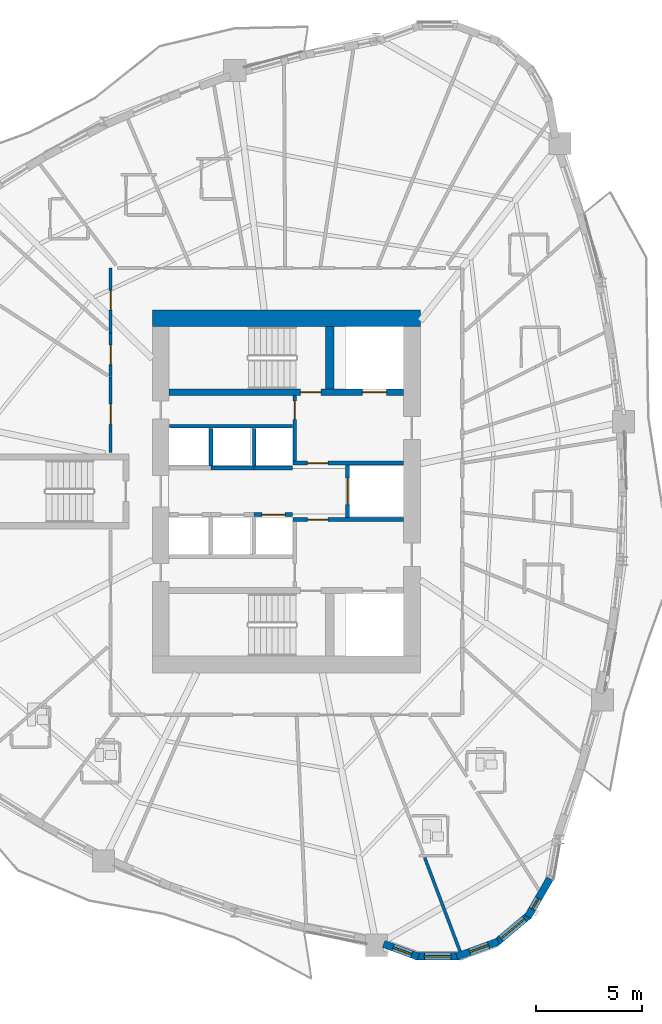
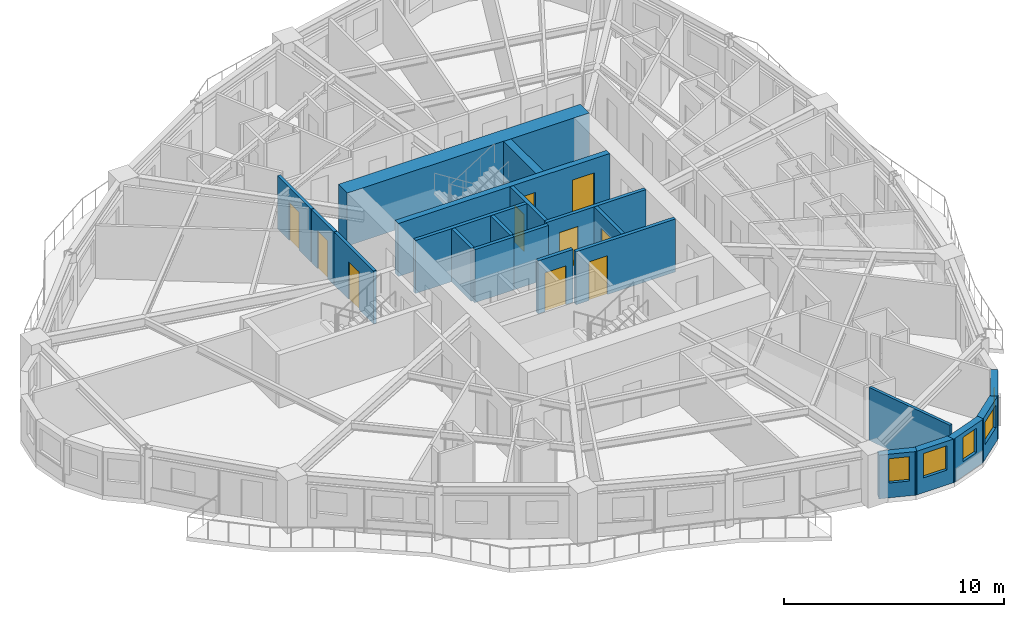
# One storey, part 5 of 14: 22 walls, 10 doors, 5 windows, 15 openings.
"""IFC4 building model written with IfcOpenShell, lengths in metres."""

from ifc_helpers import new_model, si_unit, direction, frame, frame_2d, origin, place, context, subcontext, project, spatial, rectangle, extrude, source, transform, mapped, material, layer, layer_set, type_object, element, fill, save


model = new_model("IFC4")

# Units and contexts
model_context = context("Model", 3, precision=1e-05, world=origin(), true_north=direction((0.0, 1.0)))
body_context = subcontext(model_context, "Body", "Model", "MODEL_VIEW")
ifc_project = project(units=[si_unit("LENGTHUNIT", "METRE"), si_unit("AREAUNIT", "SQUARE_METRE"), si_unit("VOLUMEUNIT", "CUBIC_METRE"), si_unit("PLANEANGLEUNIT", "RADIAN"), si_unit("MASSUNIT", "GRAM", prefix="KILO")], contexts=[model_context])

# Site, building, storey
site_placement = place(None, origin())
site = spatial("IfcSite", under=ifc_project, at=site_placement, CompositionType="ELEMENT")
building_placement = place(site_placement, origin())
building = spatial("IfcBuilding", under=site, at=building_placement, Name="Qafzar Sky-Pleat Residences", CompositionType="ELEMENT")
storey_placement = place(building_placement, frame((0.0, 0.0, 43.0)))
storey = spatial("IfcBuildingStorey", under=building, at=storey_placement, Name="L12", CompositionType="ELEMENT", Elevation=43.0)

# Wall, opening, door
ifc_material_1 = material(Name="Acoustic gypsum plasterboard partition", Category="gypsum")
ifc_layer_1 = layer(ifc_material_1, 0.159912109375)
ifc_layer_set_1 = layer_set([ifc_layer_1], Name="Acoustic gypsum plasterboard partition")
wall_type_1 = type_object("IfcWallType", Name="PART-COR-160", PredefinedType="PARTITIONING", material=ifc_layer_set_1)
wall_1_placement = place(storey_placement, frame((22.02001953125, 27.85009765625, 0.0), z_axis=(0.0, 0.0, 1.0), x_axis=(0.0, 1.0, 0.0)))
wall_1 = element("IfcWall", 1, at=wall_1_placement, inside=storey, type_object=wall_type_1, Name="L12 Partition Wall PART-L12-PW-004", PredefinedType="PARTITIONING", context=body_context, shape_type="SweptSolid", body=[
    extrude(rectangle(XDim=3.56884765625, YDim=0.159912109375, at=frame_2d((1.784423828125, 0.0))), origin(), (0.0, 0.0, 1.0), 2.93994140625),
])
opening_1_placement = place(wall_1_placement, frame((1.324951171875, 0.0, 0.0)))
opening_1 = element("IfcOpeningElement", 2, at=opening_1_placement, cuts=wall_1, Name="Opening ID-06", PredefinedType="OPENING", context=body_context, shape_type="SweptSolid", body=[
    extrude(rectangle(XDim=0.9599609375, YDim=2.10009765625, at=frame_2d((0.47998046875, 1.050048828125))), frame((0.0, 0.08984375, 0.0), z_axis=(0.0, -1.0, 0.0), x_axis=(1.0, 0.0, 0.0)), (0.0, 0.0, 1.0), 0.179931640625),
])
ifc_material_2 = material(Name="Timber-faced fire door", Category="wood")
door_type_1 = type_object("IfcDoorType", Name="DR-STD-960", OperationType="NOTDEFINED", PredefinedType="DOOR", material=ifc_material_2)
shared_shape_1 = source(origin(), body_context, "Body", "SweptSolid", [
    extrude(rectangle(XDim=0.9599609375, YDim=2.10009765625, at=frame_2d((0.47998046875, 1.050048828125))), frame((0.0, 0.02490234375, 0.0), z_axis=(0.0, -1.0, 0.0), x_axis=(1.0, 0.0, 0.0)), (0.0, 0.0, 1.0), 0.050048828125),
])
door_1_placement = place(opening_1_placement, origin())
door_1 = element("IfcDoor", 3, at=door_1_placement, inside=storey, type_object=door_type_1, Name="L12 Faculty Research Office Door", OperationType="SINGLE_SWING_RIGHT", OverallHeight=2.10009765625, OverallWidth=0.9599609375, PredefinedType="DOOR", context=body_context, shape_type="MappedRepresentation", body=[
    mapped(shared_shape_1, transform((0.0, 0.0, 0.0), x_axis=(1.0, 0.0, 0.0), y_axis=(0.0, 1.0, 0.0), z_axis=(0.0, 0.0, 1.0), scale=1.0)),
])
fill(opening_1, door_1)

wall_2_placement = place(storey_placement, frame((22.02001953125, 33.511962890625, 0.0), z_axis=(0.0, 0.0, 1.0), x_axis=(0.0, 1.0, 0.0)))
wall_2 = element("IfcWall", 4, at=wall_2_placement, inside=storey, type_object=wall_type_1, Name="L12 Partition Wall PART-L12-PW-012", PredefinedType="PARTITIONING", context=body_context, shape_type="SweptSolid", body=[
    extrude(rectangle(XDim=3.068115234375, YDim=0.159912109375, at=frame_2d((1.5341796875, 0.0))), origin(), (0.0, 0.0, 1.0), 2.93994140625),
])
opening_2_placement = place(wall_2_placement, frame((1.08447265625, 0.0, 0.0)))
opening_2 = element("IfcOpeningElement", 5, at=opening_2_placement, cuts=wall_2, Name="Opening ID-04", PredefinedType="OPENING", context=body_context, shape_type="SweptSolid", body=[
    extrude(rectangle(XDim=0.919921875, YDim=2.10009765625, at=frame_2d((0.4599609375, 1.050048828125))), frame((0.0, 0.08984375, 0.0), z_axis=(0.0, -1.0, 0.0), x_axis=(1.0, 0.0, 0.0)), (0.0, 0.0, 1.0), 0.179931640625),
])
door_type_2 = type_object("IfcDoorType", Name="DR-BED-920", OperationType="NOTDEFINED", PredefinedType="DOOR", material=ifc_material_2)
shared_shape_2 = source(origin(), body_context, "Body", "SweptSolid", [
    extrude(rectangle(XDim=0.919921875, YDim=2.10009765625, at=frame_2d((0.4599609375, 1.050048828125))), frame((0.0, 0.02490234375, 0.0), z_axis=(0.0, -1.0, 0.0), x_axis=(1.0, 0.0, 0.0)), (0.0, 0.0, 1.0), 0.050048828125),
])
door_2_placement = place(opening_2_placement, origin())
door_2 = element("IfcDoor", 6, at=door_2_placement, inside=storey, type_object=door_type_2, Name="L12 Co-Living Bedroom 16 Door", OperationType="SINGLE_SWING_LEFT", OverallHeight=2.10009765625, OverallWidth=0.919921875, PredefinedType="DOOR", context=body_context, shape_type="MappedRepresentation", body=[
    mapped(shared_shape_2, transform((0.0, 0.0, 0.0), x_axis=(1.0, 0.0, 0.0), y_axis=(0.0, 1.0, 0.0), z_axis=(0.0, 0.0, 1.0), scale=1.0)),
])
fill(opening_2, door_2)

wall_3_placement = place(storey_placement, frame((22.02001953125, 31.43408203125, 0.0), z_axis=(0.0, 0.0, 1.0), x_axis=(0.0, 1.0, 0.0)))
wall_3 = element("IfcWall", 7, at=wall_3_placement, inside=storey, type_object=wall_type_1, Name="L12 Partition Wall PART-L12-PW-018", PredefinedType="PARTITIONING", context=body_context, shape_type="SweptSolid", body=[
    extrude(rectangle(XDim=2.06298828125, YDim=0.159912109375, at=frame_2d((1.031494140625, 0.0))), origin(), (0.0, 0.0, 1.0), 2.93994140625),
])
opening_3_placement = place(wall_3_placement, frame((0.572998046875, 0.0, 0.0)))
opening_3 = element("IfcOpeningElement", 8, at=opening_3_placement, cuts=wall_3, Name="Opening ID-04", PredefinedType="OPENING", context=body_context, shape_type="SweptSolid", body=[
    extrude(rectangle(XDim=0.919921875, YDim=2.10009765625, at=frame_2d((0.4599609375, 1.050048828125))), frame((0.0, 0.08984375, 0.0), z_axis=(0.0, -1.0, 0.0), x_axis=(1.0, 0.0, 0.0)), (0.0, 0.0, 1.0), 0.179931640625),
])
door_3_placement = place(opening_3_placement, origin())
door_3 = element("IfcDoor", 9, at=door_3_placement, inside=storey, type_object=door_type_2, Name="L12 Co-Living Bedroom 15 Door", OperationType="SINGLE_SWING_RIGHT", OverallHeight=2.10009765625, OverallWidth=0.919921875, PredefinedType="DOOR", context=body_context, shape_type="MappedRepresentation", body=[
    mapped(shared_shape_2, transform((0.0, 0.0, 0.0), x_axis=(1.0, 0.0, 0.0), y_axis=(0.0, 1.0, 0.0), z_axis=(0.0, 0.0, 1.0), scale=1.0)),
])
fill(opening_3, door_3)

ifc_material_3 = material(Name="Concrete blockwork partition", Category="masonry")
ifc_layer_2 = layer(ifc_material_3, 0.179931640625)
ifc_layer_set_2 = layer_set([ifc_layer_2], Name="Concrete blockwork partition")
wall_type_2 = type_object("IfcWallType", Name="PART-SHAFT-180", PredefinedType="PARTITIONING", material=ifc_layer_set_2)
wall_4_placement = place(storey_placement, frame((30.669921875, 24.659912109375, 0.0), z_axis=(0.0, 0.0, 1.0), x_axis=(1.0, 0.0, 0.0)))
wall_4 = element("IfcWall", 10, at=wall_4_placement, inside=storey, type_object=wall_type_2, Name="L12 Partition Wall PART-L12-FFL1-N", PredefinedType="PARTITIONING", context=body_context, shape_type="SweptSolid", body=[
    extrude(rectangle(XDim=5.219970703125, YDim=0.179931640625, at=frame_2d((2.60986328125, 0.0))), origin(), (0.0, 0.0, 1.0), 2.93994140625),
])
opening_4_placement = place(wall_4_placement, frame((0.679931640625, 0.0, 0.0)))
opening_4 = element("IfcOpeningElement", 11, at=opening_4_placement, cuts=wall_4, Name="Opening ID-01", PredefinedType="OPENING", context=body_context, shape_type="SweptSolid", body=[
    extrude(rectangle(XDim=0.97998046875, YDim=2.14990234375, at=frame_2d((0.489990234375, 1.074951171875))), frame((0.0, 0.10009765625, 0.0), z_axis=(0.0, -1.0, 0.0), x_axis=(1.0, 0.0, 0.0)), (0.0, 0.0, 1.0), 0.199951171875),
])
door_type_3 = type_object("IfcDoorType", Name="DR-STAIR-980", OperationType="NOTDEFINED", PredefinedType="DOOR", material=ifc_material_2)
shared_shape_3 = source(origin(), body_context, "Body", "SweptSolid", [
    extrude(rectangle(XDim=0.97998046875, YDim=2.14990234375, at=frame_2d((0.489990234375, 1.074951171875))), frame((0.0, 0.02490234375, 0.0), z_axis=(0.0, -1.0, 0.0), x_axis=(1.0, 0.0, 0.0)), (0.0, 0.0, 1.0), 0.050048828125),
])
door_4_placement = place(opening_4_placement, origin())
door_4 = element("IfcDoor", 12, at=door_4_placement, inside=storey, type_object=door_type_3, Name="L12 Lift Lobby to South Firefighting Lobby Door", OperationType="SINGLE_SWING_LEFT", OverallHeight=2.14990234375, OverallWidth=0.97998046875, PredefinedType="DOOR", context=body_context, shape_type="MappedRepresentation", body=[
    mapped(shared_shape_3, transform((0.0, 0.0, 0.0), x_axis=(1.0, 0.0, 0.0), y_axis=(0.0, 1.0, 0.0), z_axis=(0.0, 0.0, 1.0), scale=1.0)),
])
fill(opening_4, door_4)

wall_5_placement = place(storey_placement, frame((30.75, 27.429931640625, 0.0), z_axis=(0.0, 0.0, 1.0), x_axis=(0.0, 1.0, 0.0)))
wall_5 = element("IfcWall", 13, at=wall_5_placement, inside=storey, type_object=wall_type_2, Name="L12 Partition Wall PART-L12-FFL2-W", PredefinedType="PARTITIONING", context=body_context, shape_type="SweptSolid", body=[
    extrude(rectangle(XDim=3.110107421875, YDim=0.179931640625, at=frame_2d((1.55517578125, 0.0))), origin(), (0.0, 0.0, 1.0), 2.93994140625),
])
opening_5_placement = place(wall_5_placement, frame((1.97998046875, 0.0, 0.0)))
opening_5 = element("IfcOpeningElement", 14, at=opening_5_placement, cuts=wall_5, Name="Opening ID-09", PredefinedType="OPENING", context=body_context, shape_type="SweptSolid", body=[
    extrude(rectangle(XDim=0.860107421875, YDim=2.050048828125, at=frame_2d((0.43017578125, 1.02490234375))), frame((0.0, 0.10009765625, 0.0), z_axis=(0.0, -1.0, 0.0), x_axis=(1.0, 0.0, 0.0)), (0.0, 0.0, 1.0), 0.199951171875),
])
door_type_4 = type_object("IfcDoorType", Name="DR-SVC-860", OperationType="NOTDEFINED", PredefinedType="DOOR", material=ifc_material_2)
shared_shape_4 = source(origin(), body_context, "Body", "SweptSolid", [
    extrude(rectangle(XDim=0.860107421875, YDim=2.050048828125, at=frame_2d((0.43017578125, 1.02490234375))), frame((0.0, 0.02490234375, 0.0), z_axis=(0.0, -1.0, 0.0), x_axis=(1.0, 0.0, 0.0)), (0.0, 0.0, 1.0), 0.050048828125),
])
door_5_placement = place(opening_5_placement, origin())
door_5 = element("IfcDoor", 15, at=door_5_placement, inside=storey, type_object=door_type_4, Name="L12 North Core Cupboard Door", OperationType="SINGLE_SWING_RIGHT", OverallHeight=2.050048828125, OverallWidth=0.860107421875, PredefinedType="DOOR", context=body_context, shape_type="MappedRepresentation", body=[
    mapped(shared_shape_4, transform((0.0, 0.0, 0.0), x_axis=(1.0, 0.0, 0.0), y_axis=(0.0, 1.0, 0.0), z_axis=(0.0, 0.0, 1.0), scale=1.0)),
])
fill(opening_5, door_5)

wall_6_placement = place(storey_placement, frame((30.669921875, 27.340087890625, 0.0), z_axis=(0.0, 0.0, 1.0), x_axis=(1.0, 0.0, 0.0)))
wall_6 = element("IfcWall", 16, at=wall_6_placement, inside=storey, type_object=wall_type_2, Name="L12 Partition Wall PART-L12-FFL2-S", PredefinedType="PARTITIONING", context=body_context, shape_type="SweptSolid", body=[
    extrude(rectangle(XDim=5.219970703125, YDim=0.179931640625, at=frame_2d((2.60986328125, 0.0))), origin(), (0.0, 0.0, 1.0), 2.93994140625),
])
opening_6_placement = place(wall_6_placement, frame((0.679931640625, 0.0, 0.0)))
opening_6 = element("IfcOpeningElement", 17, at=opening_6_placement, cuts=wall_6, Name="Opening ID-01", PredefinedType="OPENING", context=body_context, shape_type="SweptSolid", body=[
    extrude(rectangle(XDim=0.97998046875, YDim=2.14990234375, at=frame_2d((0.489990234375, 1.074951171875))), frame((0.0, 0.10009765625, 0.0), z_axis=(0.0, -1.0, 0.0), x_axis=(1.0, 0.0, 0.0)), (0.0, 0.0, 1.0), 0.199951171875),
])
door_6_placement = place(opening_6_placement, origin())
door_6 = element("IfcDoor", 18, at=door_6_placement, inside=storey, type_object=door_type_3, Name="L12 Lift Lobby to North Firefighting Lobby Door", OperationType="SINGLE_SWING_LEFT", OverallHeight=2.14990234375, OverallWidth=0.97998046875, PredefinedType="DOOR", context=body_context, shape_type="MappedRepresentation", body=[
    mapped(shared_shape_3, transform((0.0, 0.0, 0.0), x_axis=(1.0, 0.0, 0.0), y_axis=(0.0, 1.0, 0.0), z_axis=(0.0, 0.0, 1.0), scale=1.0)),
])
fill(opening_6, door_6)

wall_7_placement = place(storey_placement, frame((33.25, 24.760009765625, 0.0), z_axis=(0.0, 0.0, 1.0), x_axis=(0.0, 1.0, 0.0)))
wall_7 = element("IfcWall", 19, at=wall_7_placement, inside=storey, type_object=wall_type_2, Name="L12 Partition Wall PART-L12-SV1-W", PredefinedType="PARTITIONING", context=body_context, shape_type="SweptSolid", body=[
    extrude(rectangle(XDim=2.47998046875, YDim=0.179931640625, at=frame_2d((1.239990234375, 0.0))), origin(), (0.0, 0.0, 1.0), 2.93994140625),
])
opening_7_placement = place(wall_7_placement, frame((0.614990234375, 0.0, 0.0)))
opening_7 = element("IfcOpeningElement", 20, at=opening_7_placement, cuts=wall_7, Name="Opening LD-03", PredefinedType="OPENING", context=body_context, shape_type="SweptSolid", body=[
    extrude(rectangle(XDim=1.25, YDim=2.14990234375, at=frame_2d((0.625, 1.074951171875))), frame((0.0, 0.10009765625, 0.0), z_axis=(0.0, -1.0, 0.0), x_axis=(1.0, 0.0, 0.0)), (0.0, 0.0, 1.0), 0.199951171875),
])
ifc_material_4 = material(Name="Stainless steel sliding landing door", Category="steel")
door_type_5 = type_object("IfcDoorType", Name="DR-LIFT-SV", OperationType="DOUBLE_DOOR_SLIDING", PredefinedType="DOOR", material=ifc_material_4)
shared_shape_5 = source(origin(), body_context, "Body", "SweptSolid", [
    extrude(rectangle(XDim=1.25, YDim=2.14990234375, at=frame_2d((0.625, 1.074951171875))), frame((0.0, 0.02490234375, 0.0), z_axis=(0.0, -1.0, 0.0), x_axis=(1.0, 0.0, 0.0)), (0.0, 0.0, 1.0), 0.050048828125),
])
door_7_placement = place(opening_7_placement, origin())
door_7 = element("IfcDoor", 21, at=door_7_placement, inside=storey, type_object=door_type_5, Name="L12 Service Lift SV1 Landing Door", OperationType="DOUBLE_DOOR_SLIDING", OverallHeight=2.14990234375, OverallWidth=1.25, PredefinedType="DOOR", context=body_context, shape_type="MappedRepresentation", body=[
    mapped(shared_shape_5, transform((0.0, 0.0, 0.0), x_axis=(1.0, 0.0, 0.0), y_axis=(0.0, 1.0, 0.0), z_axis=(0.0, 0.0, 1.0), scale=1.0)),
])
fill(opening_7, door_7)

wall_8_placement = place(storey_placement, frame((28.824951171875, 24.89990234375, 0.0), z_axis=(0.0, 0.0, 1.0), x_axis=(1.0, 0.0, 0.0)))
wall_8 = element("IfcWall", 22, at=wall_8_placement, inside=storey, type_object=wall_type_2, Name="L12 Partition Wall PART-L12-P3-N", PredefinedType="PARTITIONING", context=body_context, shape_type="SweptSolid", body=[
    extrude(rectangle(XDim=1.824951171875, YDim=0.179931640625, at=frame_2d((0.91259765625, 0.0))), origin(), (0.0, 0.0, 1.0), 2.93994140625),
])
opening_8_placement = place(wall_8_placement, frame((0.362548828125, 0.0, 0.0)))
opening_8 = element("IfcOpeningElement", 23, at=opening_8_placement, cuts=wall_8, Name="Opening LD-01", PredefinedType="OPENING", context=body_context, shape_type="SweptSolid", body=[
    extrude(rectangle(XDim=1.10009765625, YDim=2.14990234375, at=frame_2d((0.550048828125, 1.074951171875))), frame((0.0, 0.10009765625, 0.0), z_axis=(0.0, -1.0, 0.0), x_axis=(1.0, 0.0, 0.0)), (0.0, 0.0, 1.0), 0.199951171875),
])
door_type_6 = type_object("IfcDoorType", Name="DR-LIFT-P", OperationType="DOUBLE_DOOR_SLIDING", PredefinedType="DOOR", material=ifc_material_4)
shared_shape_6 = source(origin(), body_context, "Body", "SweptSolid", [
    extrude(rectangle(XDim=1.10009765625, YDim=2.14990234375, at=frame_2d((0.550048828125, 1.074951171875))), frame((0.0, 0.02490234375, 0.0), z_axis=(0.0, -1.0, 0.0), x_axis=(1.0, 0.0, 0.0)), (0.0, 0.0, 1.0), 0.050048828125),
])
door_8_placement = place(opening_8_placement, origin())
door_8 = element("IfcDoor", 24, at=door_8_placement, inside=storey, type_object=door_type_6, Name="L12 Passenger Lift P3 Landing Door", OperationType="DOUBLE_DOOR_SLIDING", OverallHeight=2.14990234375, OverallWidth=1.10009765625, PredefinedType="DOOR", context=body_context, shape_type="MappedRepresentation", body=[
    mapped(shared_shape_6, transform((0.0, 0.0, 0.0), x_axis=(1.0, 0.0, 0.0), y_axis=(0.0, 1.0, 0.0), z_axis=(0.0, 0.0, 1.0), scale=1.0)),
])
fill(opening_8, door_8)

# Walls
wall_9_placement = place(storey_placement, frame((24.81005859375, 29.080078125, 0.0), z_axis=(0.0, 0.0, 1.0), x_axis=(1.0, 0.0, 0.0)))
element("IfcWall", 25, at=wall_9_placement, inside=storey, type_object=wall_type_2, Name="L12 Partition Wall PART-L12-P46-N", PredefinedType="PARTITIONING", context=body_context, shape_type="SweptSolid", body=[
    extrude(rectangle(XDim=5.83984375, YDim=0.179931640625, at=frame_2d((2.919921875, 0.0))), origin(), (0.0, 0.0, 1.0), 2.93994140625),
])
wall_10_placement = place(storey_placement, frame((26.77490234375, 27.10009765625, 0.0), z_axis=(0.0, 0.0, 1.0), x_axis=(1.0, 0.0, 0.0)))
element("IfcWall", 26, at=wall_10_placement, inside=storey, type_object=wall_type_2, Name="L12 Partition Wall PART-L12-P5-S", PredefinedType="PARTITIONING", context=body_context, shape_type="SweptSolid", body=[
    extrude(rectangle(XDim=2.050048828125, YDim=0.179931640625, at=frame_2d((1.02490234375, 0.0))), origin(), (0.0, 0.0, 1.0), 2.93994140625),
])
wall_11_placement = place(storey_placement, frame((26.77490234375, 27.199951171875, 0.0), z_axis=(0.0, 0.0, 1.0), x_axis=(0.0, 1.0, 0.0)))
element("IfcWall", 27, at=wall_11_placement, inside=storey, type_object=wall_type_2, Name="L12 Partition Wall PART-L12-P46-DIV-1", PredefinedType="PARTITIONING", context=body_context, shape_type="SweptSolid", body=[
    extrude(rectangle(XDim=1.780029296875, YDim=0.179931640625, at=frame_2d((0.89013671875, 0.0))), origin(), (0.0, 0.0, 1.0), 2.93994140625),
])
wall_12_placement = place(storey_placement, frame((28.824951171875, 27.10009765625, 0.0), z_axis=(0.0, 0.0, 1.0), x_axis=(1.0, 0.0, 0.0)))
element("IfcWall", 28, at=wall_12_placement, inside=storey, type_object=wall_type_2, Name="L12 Partition Wall PART-L12-P6-S", PredefinedType="PARTITIONING", context=body_context, shape_type="SweptSolid", body=[
    extrude(rectangle(XDim=1.824951171875, YDim=0.179931640625, at=frame_2d((0.91259765625, 0.0))), origin(), (0.0, 0.0, 1.0), 2.93994140625),
])
wall_13_placement = place(storey_placement, frame((28.824951171875, 27.199951171875, 0.0), z_axis=(0.0, 0.0, 1.0), x_axis=(0.0, 1.0, 0.0)))
element("IfcWall", 29, at=wall_13_placement, inside=storey, type_object=wall_type_2, Name="L12 Partition Wall PART-L12-P46-DIV-2", PredefinedType="PARTITIONING", context=body_context, shape_type="SweptSolid", body=[
    extrude(rectangle(XDim=1.780029296875, YDim=0.179931640625, at=frame_2d((0.89013671875, 0.0))), origin(), (0.0, 0.0, 1.0), 2.93994140625),
])
ifc_layer_3 = layer(ifc_material_1, 0.14501953125)
ifc_layer_set_3 = layer_set([ifc_layer_3], Name="Acoustic gypsum plasterboard partition")
wall_type_3 = type_object("IfcWallType", Name="PART-UNIT-145", PredefinedType="PARTITIONING", material=ifc_layer_set_3)
wall_14_placement = place(storey_placement, frame((36.903076171875, 8.64697265625, 0.0), z_axis=(0.0, 0.0, 1.0), x_axis=(0.353286560965, -0.935515155324, 0.0)))
element("IfcWall", 30, at=wall_14_placement, inside=storey, type_object=wall_type_3, Name="L12 Partition Wall PART-L12-PW-051", PredefinedType="PARTITIONING", context=body_context, shape_type="SweptSolid", body=[
    extrude(rectangle(XDim=4.74755859375, YDim=0.14501953125, at=frame_2d((2.373779296875, 0.0))), origin(), (0.0, 0.0, 1.0), 2.93994140625),
])

# Wall, opening, window
ifc_material_5 = material(Name="Precast concrete C40/50 with honed Riyadh limestone", Category="concrete")
ifc_layer_4 = layer(ifc_material_5, 0.35009765625)
ifc_layer_set_4 = layer_set([ifc_layer_4], Name="Precast concrete C40/50 with honed Riyadh limestone")
wall_type_4 = type_object("IfcWallType", Name="WALL-EXT-350", PredefinedType="SOLIDWALL", material=ifc_layer_set_4)
wall_15_placement = place(storey_placement, frame((34.959228515625, 4.55419921875, 0.0), z_axis=(0.0, 0.0, 1.0), x_axis=(0.939646909041, -0.342145709208, 0.0)))
wall_15 = element("IfcWall", 31, at=wall_15_placement, inside=storey, type_object=wall_type_4, Name="L12 Limestone Facade Wall 17", PredefinedType="SOLIDWALL", context=body_context, shape_type="SweptSolid", body=[
    extrude(rectangle(XDim=1.75244140625, YDim=0.35009765625, at=frame_2d((0.876220703125, 0.0))), origin(), (0.0, 0.0, 1.0), 2.419921875),
])
opening_9_placement = place(wall_15_placement, frame((0.476318359375, 0.0, 0.820068359375)))
opening_9 = element("IfcOpeningElement", 32, at=opening_9_placement, cuts=wall_15, Name="Opening WN-12", PredefinedType="OPENING", context=body_context, shape_type="SweptSolid", body=[
    extrude(rectangle(XDim=0.949951171875, YDim=1.35009765625, at=frame_2d((0.47509765625, 0.675048828125))), frame((0.0, 0.18505859375, 0.0), z_axis=(0.0, -1.0, 0.0), x_axis=(1.0, 0.0, 0.0)), (0.0, 0.0, 1.0), 0.3701171875),
])
ifc_material_6 = material(Name="Solar-control low-E glass in bronze aluminium frame", Category="glass")
window_type_1 = type_object("IfcWindowType", Name="WIN-12", PartitioningType="SINGLE_PANEL", PredefinedType="WINDOW", material=ifc_material_6)
shared_shape_7 = source(origin(), body_context, "Body", "SweptSolid", [
    extrude(rectangle(XDim=0.949951171875, YDim=1.35009765625, at=frame_2d((0.47509765625, 0.675048828125))), frame((0.0, 0.030029296875, 0.0), z_axis=(0.0, -1.0, 0.0), x_axis=(1.0, 0.0, 0.0)), (0.0, 0.0, 1.0), 0.06005859375),
])
window_1_placement = place(opening_9_placement, origin())
window_1 = element("IfcWindow", 33, at=window_1_placement, inside=storey, type_object=window_type_1, Name="L12 Punched Facade Window 17", OverallHeight=1.35009765625, OverallWidth=0.949951171875, PartitioningType="SINGLE_PANEL", PredefinedType="WINDOW", context=body_context, shape_type="MappedRepresentation", body=[
    mapped(shared_shape_7, transform((0.0, 0.0, 0.0), x_axis=(1.0, 0.0, 0.0), y_axis=(0.0, 1.0, 0.0), z_axis=(0.0, 0.0, 1.0), scale=1.0)),
])
fill(opening_9, window_1)

wall_16_placement = place(storey_placement, frame((36.472412109375, 3.978271484375, 0.0), z_axis=(0.0, 0.0, 1.0), x_axis=(1.0, 0.0, 0.0)))
wall_16 = element("IfcWall", 34, at=wall_16_placement, inside=storey, type_object=wall_type_4, Name="L12 Limestone Facade Wall 18", PredefinedType="SOLIDWALL", context=body_context, shape_type="SweptSolid", body=[
    extrude(rectangle(XDim=2.09033203125, YDim=0.35009765625, at=frame_2d((1.045166015625, 0.0))), origin(), (0.0, 0.0, 1.0), 2.419921875),
])
opening_10_placement = place(wall_16_placement, frame((0.420166015625, 0.0, 0.820068359375)))
opening_10 = element("IfcOpeningElement", 35, at=opening_10_placement, cuts=wall_16, Name="Opening WN-11", PredefinedType="OPENING", context=body_context, shape_type="SweptSolid", body=[
    extrude(rectangle(XDim=1.25, YDim=1.35009765625, at=frame_2d((0.625, 0.675048828125))), frame((0.0, 0.18505859375, 0.0), z_axis=(0.0, -1.0, 0.0), x_axis=(1.0, 0.0, 0.0)), (0.0, 0.0, 1.0), 0.3701171875),
])
window_type_2 = type_object("IfcWindowType", Name="WIN-11", PartitioningType="SINGLE_PANEL", PredefinedType="WINDOW", material=ifc_material_6)
shared_shape_8 = source(origin(), body_context, "Body", "SweptSolid", [
    extrude(rectangle(XDim=1.25, YDim=1.35009765625, at=frame_2d((0.625, 0.675048828125))), frame((0.0, 0.030029296875, 0.0), z_axis=(0.0, -1.0, 0.0), x_axis=(1.0, 0.0, 0.0)), (0.0, 0.0, 1.0), 0.06005859375),
])
window_2_placement = place(opening_10_placement, origin())
window_2 = element("IfcWindow", 36, at=window_2_placement, inside=storey, type_object=window_type_2, Name="L12 Punched Facade Window 18", OverallHeight=1.35009765625, OverallWidth=1.25, PartitioningType="SINGLE_PANEL", PredefinedType="WINDOW", context=body_context, shape_type="MappedRepresentation", body=[
    mapped(shared_shape_8, transform((0.0, 0.0, 0.0), x_axis=(1.0, 0.0, 0.0), y_axis=(0.0, 1.0, 0.0), z_axis=(0.0, 0.0, 1.0), scale=1.0)),
])
fill(opening_10, window_2)

wall_17_placement = place(storey_placement, frame((38.42919921875, 3.95458984375, 0.0), z_axis=(0.0, 0.0, 1.0), x_axis=(0.939660353162, 0.342108784886, 0.0)))
wall_17 = element("IfcWall", 37, at=wall_17_placement, inside=storey, type_object=wall_type_4, Name="L12 Limestone Facade Wall 19", PredefinedType="SOLIDWALL", context=body_context, shape_type="SweptSolid", body=[
    extrude(rectangle(XDim=2.09033203125, YDim=0.35009765625, at=frame_2d((1.045166015625, 0.0))), origin(), (0.0, 0.0, 1.0), 2.419921875),
])
opening_11_placement = place(wall_17_placement, frame((0.644287109375, 0.0, 0.820068359375)))
opening_11 = element("IfcOpeningElement", 38, at=opening_11_placement, cuts=wall_17, Name="Opening WN-12", PredefinedType="OPENING", context=body_context, shape_type="SweptSolid", body=[
    extrude(rectangle(XDim=0.949951171875, YDim=1.35009765625, at=frame_2d((0.47509765625, 0.675048828125))), frame((0.0, 0.18505859375, 0.0), z_axis=(0.0, -1.0, 0.0), x_axis=(1.0, 0.0, 0.0)), (0.0, 0.0, 1.0), 0.3701171875),
])
window_3_placement = place(opening_11_placement, origin())
window_3 = element("IfcWindow", 39, at=window_3_placement, inside=storey, type_object=window_type_1, Name="L12 Punched Facade Window 19", OverallHeight=1.35009765625, OverallWidth=0.949951171875, PartitioningType="SINGLE_PANEL", PredefinedType="WINDOW", context=body_context, shape_type="MappedRepresentation", body=[
    mapped(shared_shape_7, transform((0.0, 0.0, 0.0), x_axis=(1.0, 0.0, 0.0), y_axis=(0.0, 1.0, 0.0), z_axis=(0.0, 0.0, 1.0), scale=1.0)),
])
fill(opening_11, window_3)

wall_18_placement = place(storey_placement, frame((40.27587890625, 4.601806640625, 0.0), z_axis=(0.0, 0.0, 1.0), x_axis=(0.766024572719, 0.642811289563, 0.0)))
wall_18 = element("IfcWall", 40, at=wall_18_placement, inside=storey, type_object=wall_type_4, Name="L12 Limestone Facade Wall 20", PredefinedType="SOLIDWALL", context=body_context, shape_type="SweptSolid", body=[
    extrude(rectangle(XDim=2.09033203125, YDim=0.35009765625, at=frame_2d((1.045166015625, 0.0))), origin(), (0.0, 0.0, 1.0), 2.419921875),
])
opening_12_placement = place(wall_18_placement, frame((0.3203125, 0.0, 0.820068359375)))
opening_12 = element("IfcOpeningElement", 41, at=opening_12_placement, cuts=wall_18, Name="Opening WN-15", PredefinedType="OPENING", context=body_context, shape_type="SweptSolid", body=[
    extrude(rectangle(XDim=1.449951171875, YDim=1.25, at=frame_2d((0.72509765625, 0.625))), frame((0.0, 0.18505859375, 0.0), z_axis=(0.0, -1.0, 0.0), x_axis=(1.0, 0.0, 0.0)), (0.0, 0.0, 1.0), 0.3701171875),
])
window_type_3 = type_object("IfcWindowType", Name="WIN-15", PartitioningType="SINGLE_PANEL", PredefinedType="WINDOW", material=ifc_material_6)
shared_shape_9 = source(origin(), body_context, "Body", "SweptSolid", [
    extrude(rectangle(XDim=1.449951171875, YDim=1.25, at=frame_2d((0.72509765625, 0.625))), frame((0.0, 0.030029296875, 0.0), z_axis=(0.0, -1.0, 0.0), x_axis=(1.0, 0.0, 0.0)), (0.0, 0.0, 1.0), 0.06005859375),
])
window_4_placement = place(opening_12_placement, origin())
window_4 = element("IfcWindow", 42, at=window_4_placement, inside=storey, type_object=window_type_3, Name="L12 Punched Facade Window 20", OverallHeight=1.25, OverallWidth=1.449951171875, PartitioningType="SINGLE_PANEL", PredefinedType="WINDOW", context=body_context, shape_type="MappedRepresentation", body=[
    mapped(shared_shape_9, transform((0.0, 0.0, 0.0), x_axis=(1.0, 0.0, 0.0), y_axis=(0.0, 1.0, 0.0), z_axis=(0.0, 0.0, 1.0), scale=1.0)),
])
fill(opening_12, window_4)

wall_19_placement = place(storey_placement, frame((41.7900390625, 5.841552734375, 0.0), z_axis=(0.0, 0.0, 1.0), x_axis=(0.499995423472, 0.866028046028, 0.0)))
wall_19 = element("IfcWall", 43, at=wall_19_placement, inside=storey, type_object=wall_type_4, Name="L12 Limestone Facade Wall 21", PredefinedType="SOLIDWALL", context=body_context, shape_type="SweptSolid", body=[
    extrude(rectangle(XDim=2.09033203125, YDim=0.35009765625, at=frame_2d((1.045166015625, 0.0))), origin(), (0.0, 0.0, 1.0), 2.419921875),
])
opening_13_placement = place(wall_19_placement, frame((0.4267578125, 0.0, 0.820068359375)))
opening_13 = element("IfcOpeningElement", 44, at=opening_13_placement, cuts=wall_19, Name="Opening WN-17", PredefinedType="OPENING", context=body_context, shape_type="SweptSolid", body=[
    extrude(rectangle(XDim=0.580078125, YDim=1.35009765625, at=frame_2d((0.2900390625, 0.675048828125))), frame((0.0, 0.18505859375, 0.0), z_axis=(0.0, -1.0, 0.0), x_axis=(1.0, 0.0, 0.0)), (0.0, 0.0, 1.0), 0.3701171875),
])
window_type_4 = type_object("IfcWindowType", Name="WIN-17", PartitioningType="SINGLE_PANEL", PredefinedType="WINDOW", material=ifc_material_6)
shared_shape_10 = source(origin(), body_context, "Body", "SweptSolid", [
    extrude(rectangle(XDim=0.580078125, YDim=1.35009765625, at=frame_2d((0.2900390625, 0.675048828125))), frame((0.0, 0.030029296875, 0.0), z_axis=(0.0, -1.0, 0.0), x_axis=(1.0, 0.0, 0.0)), (0.0, 0.0, 1.0), 0.06005859375),
])
window_5_placement = place(opening_13_placement, origin())
window_5 = element("IfcWindow", 45, at=window_5_placement, inside=storey, type_object=window_type_4, Name="L12 Punched Facade Window 21", OverallHeight=1.35009765625, OverallWidth=0.580078125, PartitioningType="SINGLE_PANEL", PredefinedType="WINDOW", context=body_context, shape_type="MappedRepresentation", body=[
    mapped(shared_shape_10, transform((0.0, 0.0, 0.0), x_axis=(1.0, 0.0, 0.0), y_axis=(0.0, 1.0, 0.0), z_axis=(0.0, 0.0, 1.0), scale=1.0)),
])
fill(opening_13, window_5)

# Wall, openings, doors
ifc_material_7 = material(Name="Concrete C60/75", Category="concrete")
ifc_layer_5 = layer(ifc_material_7, 0.300048828125)
ifc_layer_set_5 = layer_set([ifc_layer_5], Name="Concrete C60/75")
wall_type_5 = type_object("IfcWallType", Name="WALL-SHEAR-300", PredefinedType="SHEAR", material=ifc_layer_set_5)
wall_20_placement = place(storey_placement, frame((24.800048828125, 30.699951171875, 0.0), z_axis=(0.0, 0.0, 1.0), x_axis=(1.0, 0.0, 0.0)))
wall_20 = element("IfcWall", 46, at=wall_20_placement, inside=storey, type_object=wall_type_5, Name="L12 Stair ST2 and FF2 Shaft South Wall", PredefinedType="SHEAR", context=body_context, shape_type="SweptSolid", body=[
    extrude(rectangle(XDim=11.099853515625, YDim=0.300048828125, at=frame_2d((5.5498046875, 0.0))), origin(), (0.0, 0.0, 1.0), 2.93994140625),
])
opening_14_placement = place(wall_20_placement, frame((6.219970703125, 0.0, 0.0)))
opening_14 = element("IfcOpeningElement", 47, at=opening_14_placement, cuts=wall_20, Name="Opening ID-01", PredefinedType="OPENING", context=body_context, shape_type="SweptSolid", body=[
    extrude(rectangle(XDim=0.97998046875, YDim=2.14990234375, at=frame_2d((0.489990234375, 1.074951171875))), frame((0.0, 0.16015625, 0.0), z_axis=(0.0, -1.0, 0.0), x_axis=(1.0, 0.0, 0.0)), (0.0, 0.0, 1.0), 0.320068359375),
])
opening_15_placement = place(wall_20_placement, frame((9.14990234375, 0.0, 0.0)))
opening_15 = element("IfcOpeningElement", 48, at=opening_15_placement, cuts=wall_20, Name="Opening LD-02", PredefinedType="OPENING", context=body_context, shape_type="SweptSolid", body=[
    extrude(rectangle(XDim=1.14990234375, YDim=2.14990234375, at=frame_2d((0.574951171875, 1.074951171875))), frame((0.0, 0.16015625, 0.0), z_axis=(0.0, -1.0, 0.0), x_axis=(1.0, 0.0, 0.0)), (0.0, 0.0, 1.0), 0.320068359375),
])
door_9_placement = place(opening_14_placement, origin())
door_9 = element("IfcDoor", 49, at=door_9_placement, inside=storey, type_object=door_type_3, Name="L12 Stair ST2 Fire Door", OperationType="SINGLE_SWING_RIGHT", OverallHeight=2.14990234375, OverallWidth=0.97998046875, PredefinedType="DOOR", context=body_context, shape_type="MappedRepresentation", body=[
    mapped(shared_shape_3, transform((0.0, 0.0, 0.0), x_axis=(1.0, 0.0, 0.0), y_axis=(0.0, 1.0, 0.0), z_axis=(0.0, 0.0, 1.0), scale=1.0)),
])
fill(opening_14, door_9)
door_type_7 = type_object("IfcDoorType", Name="DR-LIFT-FF", OperationType="DOUBLE_DOOR_SLIDING", PredefinedType="DOOR", material=ifc_material_4)
shared_shape_11 = source(origin(), body_context, "Body", "SweptSolid", [
    extrude(rectangle(XDim=1.14990234375, YDim=2.14990234375, at=frame_2d((0.574951171875, 1.074951171875))), frame((0.0, 0.02490234375, 0.0), z_axis=(0.0, -1.0, 0.0), x_axis=(1.0, 0.0, 0.0)), (0.0, 0.0, 1.0), 0.050048828125),
])
door_10_placement = place(opening_15_placement, origin())
door_10 = element("IfcDoor", 50, at=door_10_placement, inside=storey, type_object=door_type_7, Name="L12 Firefighting Lift FF2 Landing Door", OperationType="DOUBLE_DOOR_SLIDING", OverallHeight=2.14990234375, OverallWidth=1.14990234375, PredefinedType="DOOR", context=body_context, shape_type="MappedRepresentation", body=[
    mapped(shared_shape_11, transform((0.0, 0.0, 0.0), x_axis=(1.0, 0.0, 0.0), y_axis=(0.0, 1.0, 0.0), z_axis=(0.0, 0.0, 1.0), scale=1.0)),
])
fill(opening_15, door_10)

# Walls
ifc_layer_6 = layer(ifc_material_7, 0.39990234375)
ifc_layer_set_6 = layer_set([ifc_layer_6], Name="Concrete C60/75")
wall_type_6 = type_object("IfcWallType", Name="WALL-SHEAR-400", PredefinedType="SHEAR", material=ifc_layer_set_6)
wall_21_placement = place(storey_placement, frame((32.39990234375, 30.85009765625, 0.0), z_axis=(0.0, 0.0, 1.0), x_axis=(0.0, 1.0, 0.0)))
element("IfcWall", 51, at=wall_21_placement, inside=storey, type_object=wall_type_6, Name="L12 Stair ST2 East Dividing Wall", PredefinedType="SHEAR", context=body_context, shape_type="SweptSolid", body=[
    extrude(rectangle(XDim=2.949951171875, YDim=0.39990234375, at=frame_2d((1.47509765625, 0.0))), origin(), (0.0, 0.0, 1.0), 2.93994140625),
])
ifc_layer_7 = layer(ifc_material_7, 0.800048828125)
ifc_layer_set_7 = layer_set([ifc_layer_7], Name="Concrete C60/75")
wall_type_7 = type_object("IfcWallType", Name="WALL-SHEAR-800", PredefinedType="SHEAR", material=ifc_layer_set_7)
wall_22_placement = place(storey_placement, frame((36.699951171875, 34.199951171875, 0.0), z_axis=(0.0, 0.0, 1.0), x_axis=(-1.0, 0.0, 0.0)))
element("IfcWall", 52, at=wall_22_placement, inside=storey, type_object=wall_type_7, Name="L12 CORE wall N", PredefinedType="SHEAR", context=body_context, shape_type="SweptSolid", body=[
    extrude(rectangle(XDim=12.699951171875, YDim=0.800048828125, at=frame_2d((6.35009765625, 0.0))), origin(), (0.0, 0.0, 1.0), 2.93994140625),
])

save(model, "model.ifc")
